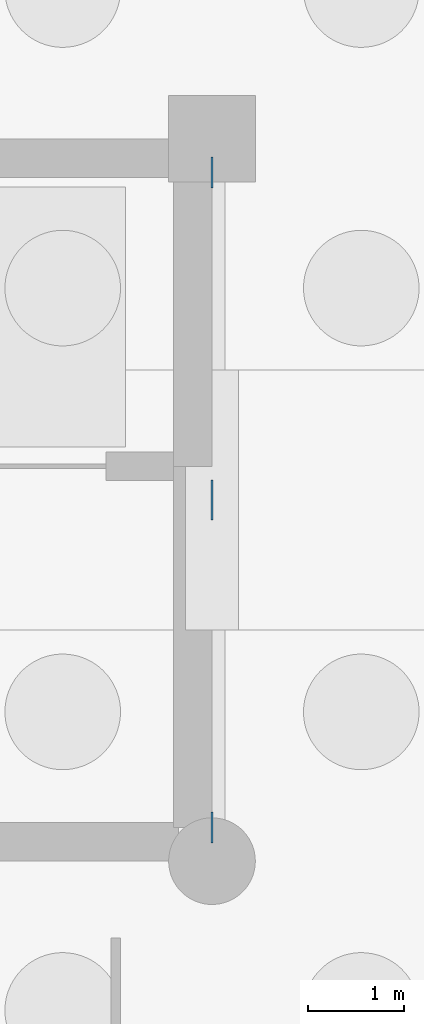
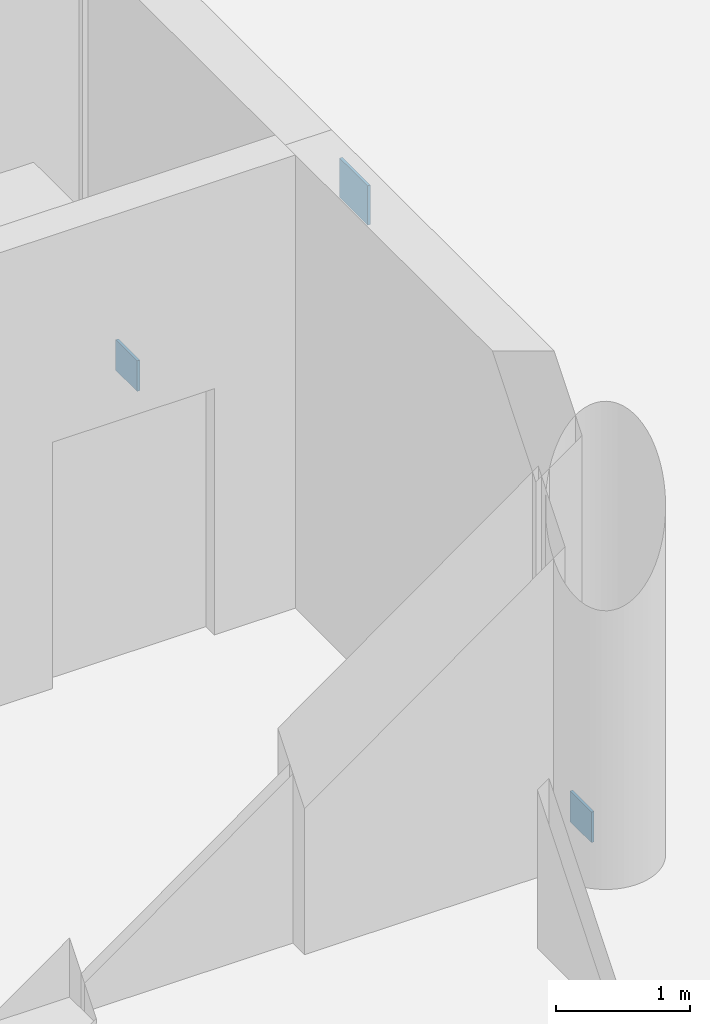
# One storey, part 23 of 42: 3 plates.
"""IFC4 building model written with IfcOpenShell, lengths in metres."""

from ifc_helpers import new_model, si_unit, direction, frame, origin, origin_2d, place, context, subcontext, project, spatial, rectangle, extrude, material, layer, layer_set, type_object, element, save


model = new_model("IFC4")

# Units and contexts
model_context = context("Model", 3, precision=1e-05, world=origin(), true_north=direction((0.0, 1.0)))
body_context = subcontext(model_context, "Body", "Model", "MODEL_VIEW")
ifc_project = project(units=[si_unit("LENGTHUNIT", "METRE"), si_unit("AREAUNIT", "SQUARE_METRE"), si_unit("VOLUMEUNIT", "CUBIC_METRE"), si_unit("PLANEANGLEUNIT", "RADIAN"), si_unit("MASSUNIT", "GRAM", prefix="KILO")], contexts=[model_context])

# Site, building, storey
site_placement = place(None, origin())
site = spatial("IfcSite", under=ifc_project, at=site_placement, CompositionType="ELEMENT")
building_placement = place(site_placement, origin())
building = spatial("IfcBuilding", under=site, at=building_placement, Name="Dalvernix Boulevard General Hospital", CompositionType="ELEMENT")
storey_placement = place(building_placement, frame((0.0, 0.0, -4.5)))
storey = spatial("IfcBuildingStorey", under=building, at=storey_placement, Name="B1", CompositionType="ELEMENT", Elevation=-4.5)

# Plates
ifc_material = material(Name="Steel S355", Category="steel")
ifc_layer = layer(ifc_material, 0.02392578125)
ifc_layer_set = layer_set([ifc_layer], Name="Steel S355 (PLT-NP-02)")
plate_type = type_object("IfcPlateType", Name="PLT-NP-02", PredefinedType="SHEET", material=ifc_layer_set)
plate_placement = place(storey_placement, frame((15.0, 11.25, 3.60986328125), z_axis=(0.0, 0.0, 1.0), x_axis=(0.0, 1.0, 0.0)))
element("IfcPlate", 1, at=plate_placement, inside=storey, type_object=plate_type, Name="B1 brace apex gusset plate 1", PredefinedType="SHEET", context=body_context, shape_type="SweptSolid", body=[
    extrude(rectangle(XDim=0.419921875, YDim=0.02392578125, at=origin_2d()), origin(), (0.0, 0.0, 1.0), 0.360107421875),
])
for number, where, z_axis, x_axis, name in (
    (2, (15.0, 7.85009765625, 0.0), (0.0, 0.0, 1.0), (0.0, 1.0, 0.0), "B1 brace base gusset plate 1S"),
    (3, (15.0, 14.64990234375, 0.0), (0.0, 0.0, 1.0), (0.0, 1.0, 0.0), "B1 brace base gusset plate 1N"),
):
    element("IfcPlate", number, at=place(storey_placement, frame(where, z_axis=z_axis, x_axis=x_axis)), inside=storey, type_object=plate_type, Name=name, PredefinedType="SHEET", context=body_context, shape_type="SweptSolid", body=[
        extrude(rectangle(XDim=0.320068359375, YDim=0.02392578125, at=origin_2d()), origin(), (0.0, 0.0, 1.0), 0.280029296875),
    ])

save(model, "model.ifc")
